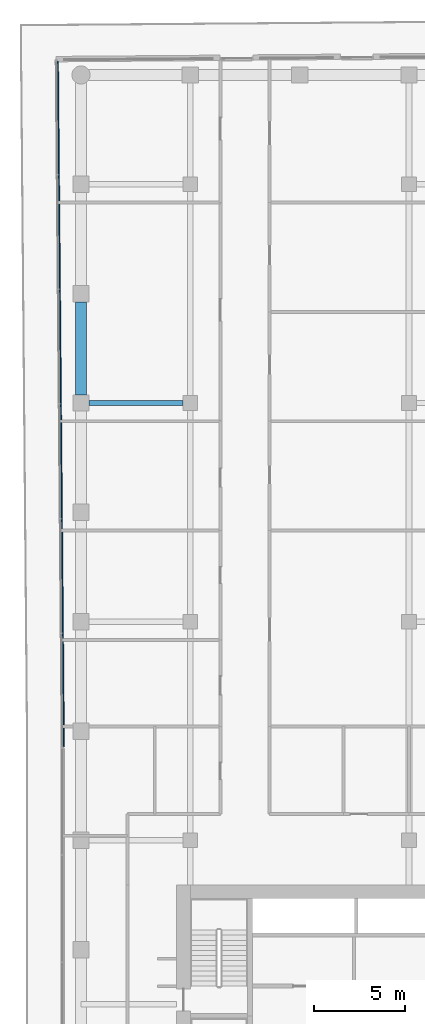
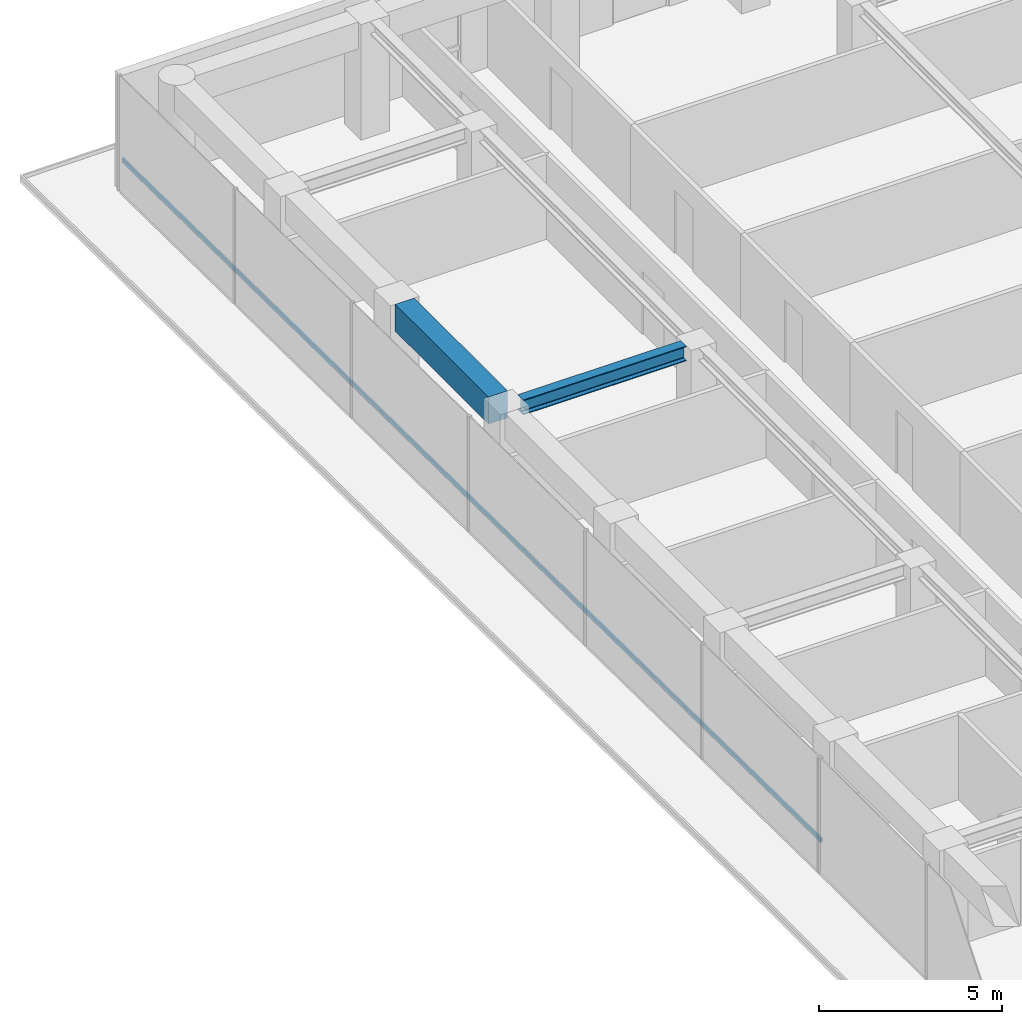
# One storey, part 11 of 21: 2 beams, 1 member, 1 element without a shape of its own.
"""IFC4 building model written with IfcOpenShell, lengths in metres."""

from ifc_helpers import new_model, si_unit, direction, frame, origin, origin_2d, place, context, subcontext, project, spatial, rectangle, i_section, extrude, material, layer, layer_set, material_profile, profile_set, type_object, element, aggregate, save


model = new_model("IFC4")

# Units and contexts
model_context = context("Model", 3, precision=1e-05, world=origin(), true_north=direction((0.0, 1.0)))
body_context = subcontext(model_context, "Body", "Model", "MODEL_VIEW")
ifc_project = project(units=[si_unit("LENGTHUNIT", "METRE"), si_unit("AREAUNIT", "SQUARE_METRE"), si_unit("VOLUMEUNIT", "CUBIC_METRE"), si_unit("PLANEANGLEUNIT", "RADIAN"), si_unit("MASSUNIT", "GRAM", prefix="KILO")], contexts=[model_context])

# Site, building, storey
site_placement = place(None, origin())
site = spatial("IfcSite", under=ifc_project, at=site_placement, CompositionType="ELEMENT")
building_placement = place(site_placement, origin())
building = spatial("IfcBuilding", under=site, at=building_placement, Name="Welwitschia Terrace Campus", CompositionType="ELEMENT")
storey_placement = place(building_placement, frame((0.0, 0.0, 108.800048828125)))
storey = spatial("IfcBuildingStorey", under=building, at=storey_placement, Name="L24", CompositionType="ELEMENT", Elevation=108.800048828125)

# Beams
ifc_material_1 = material(Name="Steel S355", Category="steel")
ifc_material_profile_1 = material_profile(ifc_material_1, i_section(OverallWidth=0.300048828125, OverallDepth=0.5, WebThickness=0.014404296875, FlangeThickness=0.028076171875, FilletRadius=0.027099609375, at=origin_2d()))
ifc_profile_set_1 = profile_set([ifc_material_profile_1], Name="Steel S355")
beam_type_1 = type_object("IfcBeamType", Name="Primary beam HE 500 B", PredefinedType="BEAM", material=ifc_profile_set_1)
beam_1_placement = place(storey_placement, frame((0.450439453125, 52.0, 3.599853515625), z_axis=(1.0, 0.0, 0.0), x_axis=(0.0, 1.0, 0.0)))
element("IfcBeam", 1, at=beam_1_placement, inside=storey, type_object=beam_type_1, Name="Primary beam PB3", PredefinedType="BEAM", context=body_context, shape_type="SweptSolid", body=[
    extrude(i_section(OverallWidth=0.300048828125, OverallDepth=0.5, WebThickness=0.014404296875, FlangeThickness=0.028076171875, FilletRadius=0.027099609375, at=origin_2d()), origin(), (0.0, 0.0, 1.0), 5.149169921875),
])
ifc_material_2 = material(Name="Concrete C60/75", Category="concrete")
ifc_material_profile_2 = material_profile(ifc_material_2, rectangle(XDim=0.60009765625, YDim=0.89990234375, at=origin_2d()))
ifc_profile_set_2 = profile_set([ifc_material_profile_2], Name="Concrete C60/75")
beam_type_2 = type_object("IfcBeamType", Name="Ring spandrel 600x900", PredefinedType="SPANDREL", material=ifc_profile_set_2)
beam_2_placement = place(storey_placement, frame((0.0, 57.549560546875, 3.39990234375), z_axis=(0.0, -1.0, 0.0), x_axis=(1.0, 0.0, 0.0)))
element("IfcBeam", 2, at=beam_2_placement, inside=storey, type_object=beam_type_2, Name="Spandrel SP2", PredefinedType="SPANDREL", context=body_context, shape_type="SweptSolid", body=[
    extrude(rectangle(XDim=0.60009765625, YDim=0.89990234375, at=origin_2d()), origin(), (0.0, 0.0, 1.0), 5.09912109375),
])

# Curtain wall, member
ifc_material_3 = material(Name="Bronze anodised aluminium", Category="aluminium")
ifc_layer = layer(ifc_material_3, 0.1201171875)
ifc_layer_set = layer_set([ifc_layer], Name="Bronze anodised aluminium")
curtain_wall_type = type_object("IfcCurtainWallType", Name="Curtain wall CW2 tower 6000", PredefinedType="NOTDEFINED", material=ifc_layer_set)
curtain_wall_placement = place(storey_placement, origin())
curtain_wall = element("IfcCurtainWall", 3, at=curtain_wall_placement, inside=storey, type_object=curtain_wall_type, Name="CW L24.0.0", PredefinedType="NOTDEFINED")
ifc_material_4 = material(Name="Bronze anodised aluminium", Category="aluminium")
ifc_material_profile_3 = material_profile(ifc_material_4, rectangle(XDim=0.06005859375, YDim=0.14990234375, at=origin_2d()))
ifc_profile_set_3 = profile_set([ifc_material_profile_3], Name="Bronze anodised aluminium")
member_type = type_object("IfcMemberType", Name="Transom 60x150", PredefinedType="USERDEFINED", material=ifc_profile_set_3)
member_placement = place(storey_placement, frame((-1.268798828125, 70.762451171875, 1.0), z_axis=(0.008727086665, -0.999961918254, 0.0), x_axis=(0.999961918254, 0.008727086665, 0.0)))
member = element("IfcMember", 4, at=member_placement, type_object=member_type, Name="Transom L24.0.0", ObjectType="TRANSOM", PredefinedType="USERDEFINED", context=body_context, shape_type="SweptSolid", body=[
    extrude(rectangle(XDim=0.06005859375, YDim=0.14990234375, at=origin_2d()), origin(), (0.0, 0.0, 1.0), 37.62646484375),
])
aggregate(curtain_wall, [member])

save(model, "model.ifc")
